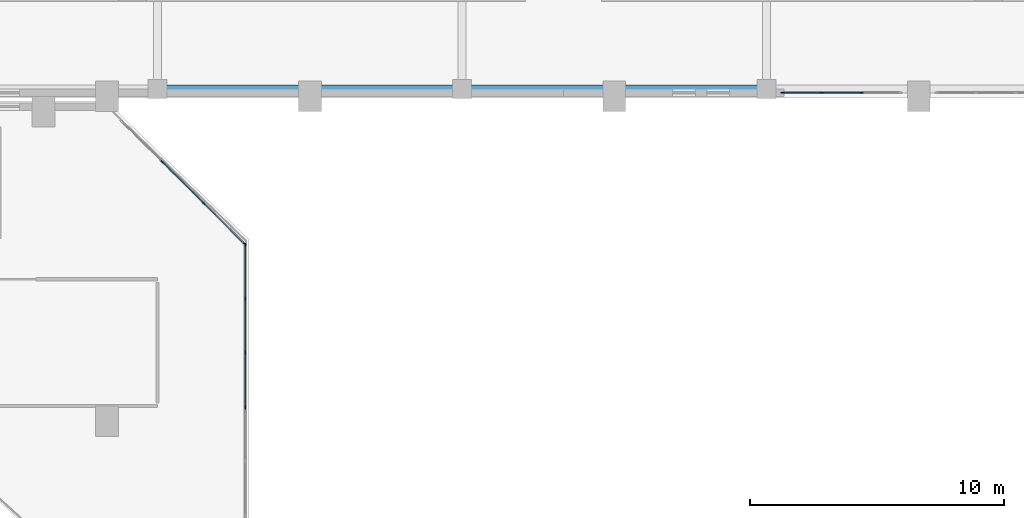
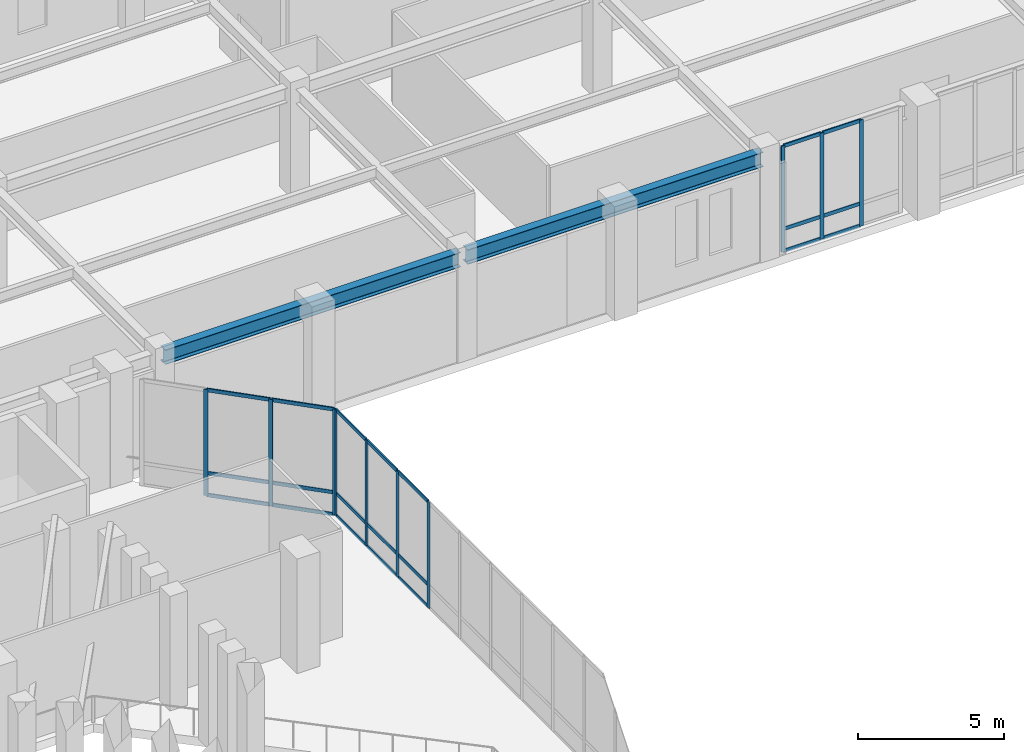
# One storey, part 39 of 126: 31 members, 2 beams, 3 elements without a shape of their own.
"""IFC4 building model written with IfcOpenShell, lengths in metres."""

from ifc_helpers import new_model, si_unit, derived_unit, direction, frame, origin, origin_2d, place, context, subcontext, project, spatial, rectangle, i_section, extrude, material, layer, layer_set, material_profile, profile_set, type_object, element, aggregate, save


model = new_model("IFC4")

# Units and contexts
model_context = context("Model", 3, precision=1e-05, world=origin(), true_north=direction((0.0, 1.0)))
body_context = subcontext(model_context, "Body", "Model", "MODEL_VIEW")
ifc_project = project(units=[si_unit("LENGTHUNIT", "METRE"), si_unit("AREAUNIT", "SQUARE_METRE"), si_unit("VOLUMEUNIT", "CUBIC_METRE"), si_unit("PLANEANGLEUNIT", "RADIAN"), si_unit("MASSUNIT", "GRAM", prefix="KILO"), derived_unit("THERMALTRANSMITTANCEUNIT", [(si_unit("MASSUNIT", "GRAM", prefix="KILO"), 1), (si_unit("TIMEUNIT", "SECOND"), -3), (si_unit("THERMODYNAMICTEMPERATUREUNIT", "KELVIN"), -1)])], contexts=[model_context])

# Site, building, storey
site_placement = place(None, origin())
site = spatial("IfcSite", under=ifc_project, at=site_placement, CompositionType="ELEMENT")
building_placement = place(site_placement, origin())
building = spatial("IfcBuilding", under=site, at=building_placement, Name="Valcora Ridge Arena", CompositionType="ELEMENT")
storey_placement = place(building_placement, frame((0.0, 0.0, 11.39990234375)))
storey = spatial("IfcBuildingStorey", under=building, at=storey_placement, Name="L02", CompositionType="ELEMENT", Elevation=11.39990234375)

# Beams
ifc_material_1 = material(Name="Steel ASTM A572 Grade 50", Category="steel")
ifc_material_profile_1 = material_profile(ifc_material_1, i_section(OverallWidth=0.324951171875, OverallDepth=0.612060546875, WebThickness=0.0126953125, FlangeThickness=0.01904296875, FilletRadius=0.01806640625, at=origin_2d()), Name="W24X104")
ifc_profile_set_1 = profile_set([ifc_material_profile_1], Name="Steel ASTM A572 Grade 50")
beam_type = type_object("IfcBeamType", Name="TY-BEAM-G-W24X104-X", PredefinedType="BEAM", material=ifc_profile_set_1)
for number, where, z_axis, x_axis, name in (
    (1, (96.139892578125, 108.699951171875, 4.14404296875), (1.0, 0.0, 0.0), (0.0, 1.0, 0.0), "G-W24X104-X BEM-G-W24X104-X-0072"),
    (2, (108.139892578125, 108.699951171875, 4.14404296875), (1.0, 0.0, 0.0), (0.0, 1.0, 0.0), "G-W24X104-X BEM-G-W24X104-X-0073"),
):
    element("IfcBeam", number, at=place(storey_placement, frame(where, z_axis=z_axis, x_axis=x_axis)), inside=storey, type_object=beam_type, Name=name, PredefinedType="BEAM", context=body_context, shape_type="SweptSolid", body=[
        extrude(i_section(OverallWidth=0.324951171875, OverallDepth=0.612060546875, WebThickness=0.0126953125, FlangeThickness=0.01904296875, FilletRadius=0.01806640625, at=origin_2d()), origin(), (0.0, 0.0, 1.0), 11.72021484375),
    ])

# Curtain wall, members
ifc_material_2 = material(Name="Anodised dark bronze architectural aluminium 6063-T6", Category="aluminium")
ifc_layer_1 = layer(ifc_material_2, 0.14990234375, Name="Anodised dark bronze architectural aluminium 6063-T6")
ifc_layer_set_1 = layer_set([ifc_layer_1], Name="Anodised dark bronze architectural aluminium 6063-T6")
curtain_wall_type_1 = type_object("IfcCurtainWallType", Name="TY-CURTAINWALL-CW-V1-EAST-769X44", PredefinedType="NOTDEFINED", material=ifc_layer_set_1)
curtain_wall_1_placement = place(storey_placement, origin())
curtain_wall_1 = element("IfcCurtainWall", 3, at=curtain_wall_1_placement, inside=storey, type_object=curtain_wall_type_1, Name="CW-V1-EAST-769X44 CW-0129", PredefinedType="NOTDEFINED")
ifc_material_profile_2 = material_profile(ifc_material_2, rectangle(XDim=0.050048828125, YDim=0.14990234375, at=origin_2d()), Name="ALU MULLION 50x150")
ifc_profile_set_2 = profile_set([ifc_material_profile_2], Name="Anodised dark bronze architectural aluminium 6063-T6")
member_type_1 = type_object("IfcMemberType", Name="TY-MEM-CWM-50x150", PredefinedType="MULLION", material=ifc_profile_set_2)
member_1_placement = place(storey_placement, frame((99.449951171875, 96.16015625, 0.0), z_axis=(0.0, 0.0, 1.0), x_axis=(-1.0, 0.0, 0.0)))
member_1 = element("IfcMember", 4, at=member_1_placement, type_object=member_type_1, Name="CW-0129/CWM-50x150/M33", PredefinedType="MULLION", context=body_context, shape_type="SweptSolid", body=[
    extrude(rectangle(XDim=0.050048828125, YDim=0.14990234375, at=origin_2d()), origin(), (0.0, 0.0, 1.0), 4.4501953125),
])
member_2_placement = place(storey_placement, frame((99.449951171875, 98.297607421875, 0.0), z_axis=(0.0, 0.0, 1.0), x_axis=(-1.0, 0.0, 0.0)))
member_2 = element("IfcMember", 5, at=member_2_placement, type_object=member_type_1, Name="CW-0129/CWM-50x150/M34", PredefinedType="MULLION", context=body_context, shape_type="SweptSolid", body=[
    extrude(rectangle(XDim=0.050048828125, YDim=0.14990234375, at=origin_2d()), origin(), (0.0, 0.0, 1.0), 4.4501953125),
])
member_3_placement = place(storey_placement, frame((99.449951171875, 100.434814453125, 0.0), z_axis=(0.0, 0.0, 1.0), x_axis=(-1.0, 0.0, 0.0)))
member_3 = element("IfcMember", 6, at=member_3_placement, type_object=member_type_1, Name="CW-0129/CWM-50x150/M35", PredefinedType="MULLION", context=body_context, shape_type="SweptSolid", body=[
    extrude(rectangle(XDim=0.050048828125, YDim=0.14990234375, at=origin_2d()), origin(), (0.0, 0.0, 1.0), 4.4501953125),
])
member_4_placement = place(storey_placement, frame((99.449951171875, 102.54736328125, 0.0), z_axis=(0.0, 0.0, 1.0), x_axis=(-1.0, 0.0, 0.0)))
member_4 = element("IfcMember", 7, at=member_4_placement, type_object=member_type_1, Name="CW-0129/CWM-50x150/M36", PredefinedType="MULLION", context=body_context, shape_type="SweptSolid", body=[
    extrude(rectangle(XDim=0.050048828125, YDim=0.14990234375, at=origin_2d()), origin(), (0.0, 0.0, 1.0), 4.4501953125),
])

ifc_layer_2 = layer(ifc_material_2, 0.14990234375, Name="Anodised dark bronze architectural aluminium 6063-T6")
ifc_layer_set_2 = layer_set([ifc_layer_2], Name="Anodised dark bronze architectural aluminium 6063-T6")
curtain_wall_type_2 = type_object("IfcCurtainWallType", Name="TY-CURTAINWALL-CW-V1-EAST-069X44", PredefinedType="NOTDEFINED", material=ifc_layer_set_2)
curtain_wall_2_placement = place(storey_placement, origin())
curtain_wall_2 = element("IfcCurtainWall", 8, at=curtain_wall_2_placement, inside=storey, type_object=curtain_wall_type_2, Name="CW-V1-EAST-069X44 CW-0130", PredefinedType="NOTDEFINED")
member_5_placement = place(storey_placement, frame((99.432373046875, 102.58984375, 0.0), z_axis=(0.0, 0.0, 1.0), x_axis=(-0.705657660986, -0.708552937678, 0.0)))
member_5 = element("IfcMember", 9, at=member_5_placement, type_object=member_type_1, Name="CW-0130/CWM-50x150/M00", PredefinedType="MULLION", context=body_context, shape_type="SweptSolid", body=[
    extrude(rectangle(XDim=0.050048828125, YDim=0.14990234375, at=origin_2d()), origin(), (0.0, 0.0, 1.0), 4.4501953125),
])
member_6_placement = place(storey_placement, frame((97.81884765625, 104.19677734375, 0.0), z_axis=(0.0, 0.0, 1.0), x_axis=(-0.705657660986, -0.708552937678, 0.0)))
member_6 = element("IfcMember", 10, at=member_6_placement, type_object=member_type_1, Name="CW-0130/CWM-50x150/M01", PredefinedType="MULLION", context=body_context, shape_type="SweptSolid", body=[
    extrude(rectangle(XDim=0.050048828125, YDim=0.14990234375, at=origin_2d()), origin(), (0.0, 0.0, 1.0), 4.4501953125),
])
member_7_placement = place(storey_placement, frame((96.1875, 105.8212890625, 0.0), z_axis=(0.0, 0.0, 1.0), x_axis=(-0.705657660986, -0.708552937678, 0.0)))
member_7 = element("IfcMember", 11, at=member_7_placement, type_object=member_type_1, Name="CW-0130/CWM-50x150/M02", PredefinedType="MULLION", context=body_context, shape_type="SweptSolid", body=[
    extrude(rectangle(XDim=0.050048828125, YDim=0.14990234375, at=origin_2d()), origin(), (0.0, 0.0, 1.0), 4.4501953125),
])

ifc_layer_3 = layer(ifc_material_2, 0.14990234375, Name="Anodised dark bronze architectural aluminium 6063-T6")
ifc_layer_set_3 = layer_set([ifc_layer_3], Name="Anodised dark bronze architectural aluminium 6063-T6")
curtain_wall_type_3 = type_object("IfcCurtainWallType", Name="TY-CURTAINWALL-CW-V5-MED-047X44", PredefinedType="NOTDEFINED", material=ifc_layer_set_3)
curtain_wall_3_placement = place(storey_placement, origin())
curtain_wall_3 = element("IfcCurtainWall", 12, at=curtain_wall_3_placement, inside=storey, type_object=curtain_wall_type_3, Name="CW-V5-MED-047X44 CW-0326", PredefinedType="NOTDEFINED")
member_8_placement = place(storey_placement, frame((120.639892578125, 108.550048828125, 0.0), z_axis=(0.0, 0.0, 1.0), x_axis=(0.0, 1.0, 0.0)))
member_8 = element("IfcMember", 13, at=member_8_placement, type_object=member_type_1, Name="CW-0326/CWM-50x150/M00", PredefinedType="MULLION", context=body_context, shape_type="SweptSolid", body=[
    extrude(rectangle(XDim=0.050048828125, YDim=0.14990234375, at=origin_2d()), origin(), (0.0, 0.0, 1.0), 4.4501953125),
])
member_9_placement = place(storey_placement, frame((122.179931640625, 108.550048828125, 0.0), z_axis=(0.0, 0.0, 1.0), x_axis=(0.0, 1.0, 0.0)))
member_9 = element("IfcMember", 14, at=member_9_placement, type_object=member_type_1, Name="CW-0326/CWM-50x150/M01", PredefinedType="MULLION", context=body_context, shape_type="SweptSolid", body=[
    extrude(rectangle(XDim=0.050048828125, YDim=0.14990234375, at=origin_2d()), origin(), (0.0, 0.0, 1.0), 4.4501953125),
])
member_10_placement = place(storey_placement, frame((123.7451171875, 108.550048828125, 0.0), z_axis=(0.0, 0.0, 1.0), x_axis=(0.0, 1.0, 0.0)))
member_10 = element("IfcMember", 15, at=member_10_placement, type_object=member_type_1, Name="CW-0326/CWM-50x150/M02", PredefinedType="MULLION", context=body_context, shape_type="SweptSolid", body=[
    extrude(rectangle(XDim=0.050048828125, YDim=0.14990234375, at=origin_2d()), origin(), (0.0, 0.0, 1.0), 4.4501953125),
])

# Member
ifc_material_profile_3 = material_profile(ifc_material_2, rectangle(XDim=0.050048828125, YDim=0.14990234375, at=origin_2d()), Name="ALU TRANSOM 50x150")
ifc_profile_set_3 = profile_set([ifc_material_profile_3], Name="Anodised dark bronze architectural aluminium 6063-T6")
member_type_2 = type_object("IfcMemberType", Name="TY-MEM-CWT-50x150", PredefinedType="USERDEFINED", material=ifc_profile_set_3)
member_11_placement = place(storey_placement, frame((99.449951171875, 96.185791015625, 0.025146484375), z_axis=(0.0, 1.0, 0.0), x_axis=(-1.0, 0.0, 0.0)))
member_11 = element("IfcMember", 16, at=member_11_placement, type_object=member_type_2, Name="CW-0129/CWT-50x150/T33-00", ObjectType="TRANSOM", PredefinedType="USERDEFINED", context=body_context, shape_type="SweptSolid", body=[
    extrude(rectangle(XDim=0.050048828125, YDim=0.14990234375, at=origin_2d()), origin(), (0.0, 0.0, 1.0), 2.0869140625),
])

member_12_placement = place(storey_placement, frame((99.449951171875, 96.185791015625, 0.9501953125), z_axis=(0.0, 1.0, 0.0), x_axis=(-1.0, 0.0, 0.0)))
member_12 = element("IfcMember", 17, at=member_12_placement, type_object=member_type_2, Name="CW-0129/CWT-50x150/T33-01", ObjectType="TRANSOM", PredefinedType="USERDEFINED", context=body_context, shape_type="SweptSolid", body=[
    extrude(rectangle(XDim=0.050048828125, YDim=0.14990234375, at=origin_2d()), origin(), (0.0, 0.0, 1.0), 2.0869140625),
])

member_13_placement = place(storey_placement, frame((99.449951171875, 96.185791015625, 4.425048828125), z_axis=(0.0, 1.0, 0.0), x_axis=(-1.0, 0.0, 0.0)))
member_13 = element("IfcMember", 18, at=member_13_placement, type_object=member_type_2, Name="CW-0129/CWT-50x150/T33-02", ObjectType="TRANSOM", PredefinedType="USERDEFINED", context=body_context, shape_type="SweptSolid", body=[
    extrude(rectangle(XDim=0.050048828125, YDim=0.14990234375, at=origin_2d()), origin(), (0.0, 0.0, 1.0), 2.0869140625),
])

member_14_placement = place(storey_placement, frame((99.449951171875, 98.32275390625, 0.025146484375), z_axis=(0.0, 1.0, 0.0), x_axis=(-1.0, 0.0, 0.0)))
member_14 = element("IfcMember", 19, at=member_14_placement, type_object=member_type_2, Name="CW-0129/CWT-50x150/T34-00", ObjectType="TRANSOM", PredefinedType="USERDEFINED", context=body_context, shape_type="SweptSolid", body=[
    extrude(rectangle(XDim=0.050048828125, YDim=0.14990234375, at=origin_2d()), origin(), (0.0, 0.0, 1.0), 2.0869140625),
])

member_15_placement = place(storey_placement, frame((99.449951171875, 98.32275390625, 0.9501953125), z_axis=(0.0, 1.0, 0.0), x_axis=(-1.0, 0.0, 0.0)))
member_15 = element("IfcMember", 20, at=member_15_placement, type_object=member_type_2, Name="CW-0129/CWT-50x150/T34-01", ObjectType="TRANSOM", PredefinedType="USERDEFINED", context=body_context, shape_type="SweptSolid", body=[
    extrude(rectangle(XDim=0.050048828125, YDim=0.14990234375, at=origin_2d()), origin(), (0.0, 0.0, 1.0), 2.0869140625),
])

member_16_placement = place(storey_placement, frame((99.449951171875, 98.32275390625, 4.425048828125), z_axis=(0.0, 1.0, 0.0), x_axis=(-1.0, 0.0, 0.0)))
member_16 = element("IfcMember", 21, at=member_16_placement, type_object=member_type_2, Name="CW-0129/CWT-50x150/T34-02", ObjectType="TRANSOM", PredefinedType="USERDEFINED", context=body_context, shape_type="SweptSolid", body=[
    extrude(rectangle(XDim=0.050048828125, YDim=0.14990234375, at=origin_2d()), origin(), (0.0, 0.0, 1.0), 2.0869140625),
])

member_17_placement = place(storey_placement, frame((99.449951171875, 100.459716796875, 0.025146484375), z_axis=(0.0, 1.0, 0.0), x_axis=(-1.0, 0.0, 0.0)))
member_17 = element("IfcMember", 22, at=member_17_placement, type_object=member_type_2, Name="CW-0129/CWT-50x150/T35-00", ObjectType="TRANSOM", PredefinedType="USERDEFINED", context=body_context, shape_type="SweptSolid", body=[
    extrude(rectangle(XDim=0.050048828125, YDim=0.14990234375, at=origin_2d()), origin(), (0.0, 0.0, 1.0), 2.06298828125),
])

member_18_placement = place(storey_placement, frame((99.449951171875, 100.459716796875, 0.9501953125), z_axis=(0.0, 1.0, 0.0), x_axis=(-1.0, 0.0, 0.0)))
member_18 = element("IfcMember", 23, at=member_18_placement, type_object=member_type_2, Name="CW-0129/CWT-50x150/T35-01", ObjectType="TRANSOM", PredefinedType="USERDEFINED", context=body_context, shape_type="SweptSolid", body=[
    extrude(rectangle(XDim=0.050048828125, YDim=0.14990234375, at=origin_2d()), origin(), (0.0, 0.0, 1.0), 2.06298828125),
])

member_19_placement = place(storey_placement, frame((99.449951171875, 100.459716796875, 4.425048828125), z_axis=(0.0, 1.0, 0.0), x_axis=(-1.0, 0.0, 0.0)))
member_19 = element("IfcMember", 24, at=member_19_placement, type_object=member_type_2, Name="CW-0129/CWT-50x150/T35-02", ObjectType="TRANSOM", PredefinedType="USERDEFINED", context=body_context, shape_type="SweptSolid", body=[
    extrude(rectangle(XDim=0.050048828125, YDim=0.14990234375, at=origin_2d()), origin(), (0.0, 0.0, 1.0), 2.06298828125),
])

aggregate(curtain_wall_1, [member_1, member_2, member_3, member_4, member_11, member_12, member_13, member_14, member_15, member_16, member_17, member_18, member_19])

member_20_placement = place(storey_placement, frame((99.41455078125, 102.607666015625, 0.025146484375), z_axis=(-0.70853051853, 0.705680171403, 0.0), x_axis=(-0.705680171403, -0.70853051853, 0.0)))
member_20 = element("IfcMember", 25, at=member_20_placement, type_object=member_type_2, Name="CW-0130/CWT-50x150/T00-00", ObjectType="TRANSOM", PredefinedType="USERDEFINED", context=body_context, shape_type="SweptSolid", body=[
    extrude(rectangle(XDim=0.050048828125, YDim=0.14990234375, at=origin_2d()), origin(), (0.0, 0.0, 1.0), 2.22705078125),
])

member_21_placement = place(storey_placement, frame((99.41455078125, 102.607666015625, 0.9501953125), z_axis=(-0.70853051853, 0.705680171403, 0.0), x_axis=(-0.705680171403, -0.70853051853, 0.0)))
member_21 = element("IfcMember", 26, at=member_21_placement, type_object=member_type_2, Name="CW-0130/CWT-50x150/T00-01", ObjectType="TRANSOM", PredefinedType="USERDEFINED", context=body_context, shape_type="SweptSolid", body=[
    extrude(rectangle(XDim=0.050048828125, YDim=0.14990234375, at=origin_2d()), origin(), (0.0, 0.0, 1.0), 2.22705078125),
])

member_22_placement = place(storey_placement, frame((99.41455078125, 102.607666015625, 4.425048828125), z_axis=(-0.70853051853, 0.705680171403, 0.0), x_axis=(-0.705680171403, -0.70853051853, 0.0)))
member_22 = element("IfcMember", 27, at=member_22_placement, type_object=member_type_2, Name="CW-0130/CWT-50x150/T00-02", ObjectType="TRANSOM", PredefinedType="USERDEFINED", context=body_context, shape_type="SweptSolid", body=[
    extrude(rectangle(XDim=0.050048828125, YDim=0.14990234375, at=origin_2d()), origin(), (0.0, 0.0, 1.0), 2.22705078125),
])

member_23_placement = place(storey_placement, frame((97.80126953125, 104.21435546875, 0.025146484375), z_axis=(-0.70856880376, 0.705641729448, 0.0), x_axis=(-0.705641729448, -0.70856880376, 0.0)))
member_23 = element("IfcMember", 28, at=member_23_placement, type_object=member_type_2, Name="CW-0130/CWT-50x150/T01-00", ObjectType="TRANSOM", PredefinedType="USERDEFINED", context=body_context, shape_type="SweptSolid", body=[
    extrude(rectangle(XDim=0.050048828125, YDim=0.14990234375, at=origin_2d()), origin(), (0.0, 0.0, 1.0), 2.251953125),
])

member_24_placement = place(storey_placement, frame((97.80126953125, 104.21435546875, 0.9501953125), z_axis=(-0.70856880376, 0.705641729448, 0.0), x_axis=(-0.705641729448, -0.70856880376, 0.0)))
member_24 = element("IfcMember", 29, at=member_24_placement, type_object=member_type_2, Name="CW-0130/CWT-50x150/T01-01", ObjectType="TRANSOM", PredefinedType="USERDEFINED", context=body_context, shape_type="SweptSolid", body=[
    extrude(rectangle(XDim=0.050048828125, YDim=0.14990234375, at=origin_2d()), origin(), (0.0, 0.0, 1.0), 2.251953125),
])

member_25_placement = place(storey_placement, frame((97.80126953125, 104.21435546875, 4.425048828125), z_axis=(-0.70856880376, 0.705641729448, 0.0), x_axis=(-0.705641729448, -0.70856880376, 0.0)))
member_25 = element("IfcMember", 30, at=member_25_placement, type_object=member_type_2, Name="CW-0130/CWT-50x150/T01-02", ObjectType="TRANSOM", PredefinedType="USERDEFINED", context=body_context, shape_type="SweptSolid", body=[
    extrude(rectangle(XDim=0.050048828125, YDim=0.14990234375, at=origin_2d()), origin(), (0.0, 0.0, 1.0), 2.251953125),
])

aggregate(curtain_wall_2, [member_5, member_6, member_7, member_20, member_21, member_22, member_23, member_24, member_25])

member_26_placement = place(storey_placement, frame((120.6650390625, 108.550048828125, 0.025146484375), z_axis=(1.0, 0.0, 0.0), x_axis=(0.0, 1.0, 0.0)))
member_26 = element("IfcMember", 31, at=member_26_placement, type_object=member_type_2, Name="CW-0326/CWT-50x150/T00-00", ObjectType="TRANSOM", PredefinedType="USERDEFINED", context=body_context, shape_type="SweptSolid", body=[
    extrude(rectangle(XDim=0.050048828125, YDim=0.14990234375, at=origin_2d()), origin(), (0.0, 0.0, 1.0), 1.489990234375),
])

member_27_placement = place(storey_placement, frame((120.6650390625, 108.550048828125, 0.9501953125), z_axis=(1.0, 0.0, 0.0), x_axis=(0.0, 1.0, 0.0)))
member_27 = element("IfcMember", 32, at=member_27_placement, type_object=member_type_2, Name="CW-0326/CWT-50x150/T00-01", ObjectType="TRANSOM", PredefinedType="USERDEFINED", context=body_context, shape_type="SweptSolid", body=[
    extrude(rectangle(XDim=0.050048828125, YDim=0.14990234375, at=origin_2d()), origin(), (0.0, 0.0, 1.0), 1.489990234375),
])

member_28_placement = place(storey_placement, frame((120.6650390625, 108.550048828125, 4.425048828125), z_axis=(1.0, 0.0, 0.0), x_axis=(0.0, 1.0, 0.0)))
member_28 = element("IfcMember", 33, at=member_28_placement, type_object=member_type_2, Name="CW-0326/CWT-50x150/T00-02", ObjectType="TRANSOM", PredefinedType="USERDEFINED", context=body_context, shape_type="SweptSolid", body=[
    extrude(rectangle(XDim=0.050048828125, YDim=0.14990234375, at=origin_2d()), origin(), (0.0, 0.0, 1.0), 1.489990234375),
])

member_29_placement = place(storey_placement, frame((122.205078125, 108.550048828125, 0.025146484375), z_axis=(1.0, 0.0, 0.0), x_axis=(0.0, 1.0, 0.0)))
member_29 = element("IfcMember", 34, at=member_29_placement, type_object=member_type_2, Name="CW-0326/CWT-50x150/T01-00", ObjectType="TRANSOM", PredefinedType="USERDEFINED", context=body_context, shape_type="SweptSolid", body=[
    extrude(rectangle(XDim=0.050048828125, YDim=0.14990234375, at=origin_2d()), origin(), (0.0, 0.0, 1.0), 1.514892578125),
])

member_30_placement = place(storey_placement, frame((122.205078125, 108.550048828125, 0.9501953125), z_axis=(1.0, 0.0, 0.0), x_axis=(0.0, 1.0, 0.0)))
member_30 = element("IfcMember", 35, at=member_30_placement, type_object=member_type_2, Name="CW-0326/CWT-50x150/T01-01", ObjectType="TRANSOM", PredefinedType="USERDEFINED", context=body_context, shape_type="SweptSolid", body=[
    extrude(rectangle(XDim=0.050048828125, YDim=0.14990234375, at=origin_2d()), origin(), (0.0, 0.0, 1.0), 1.514892578125),
])

member_31_placement = place(storey_placement, frame((122.205078125, 108.550048828125, 4.425048828125), z_axis=(1.0, 0.0, 0.0), x_axis=(0.0, 1.0, 0.0)))
member_31 = element("IfcMember", 36, at=member_31_placement, type_object=member_type_2, Name="CW-0326/CWT-50x150/T01-02", ObjectType="TRANSOM", PredefinedType="USERDEFINED", context=body_context, shape_type="SweptSolid", body=[
    extrude(rectangle(XDim=0.050048828125, YDim=0.14990234375, at=origin_2d()), origin(), (0.0, 0.0, 1.0), 1.514892578125),
])

aggregate(curtain_wall_3, [member_8, member_9, member_10, member_26, member_27, member_28, member_29, member_30, member_31])

save(model, "model.ifc")
